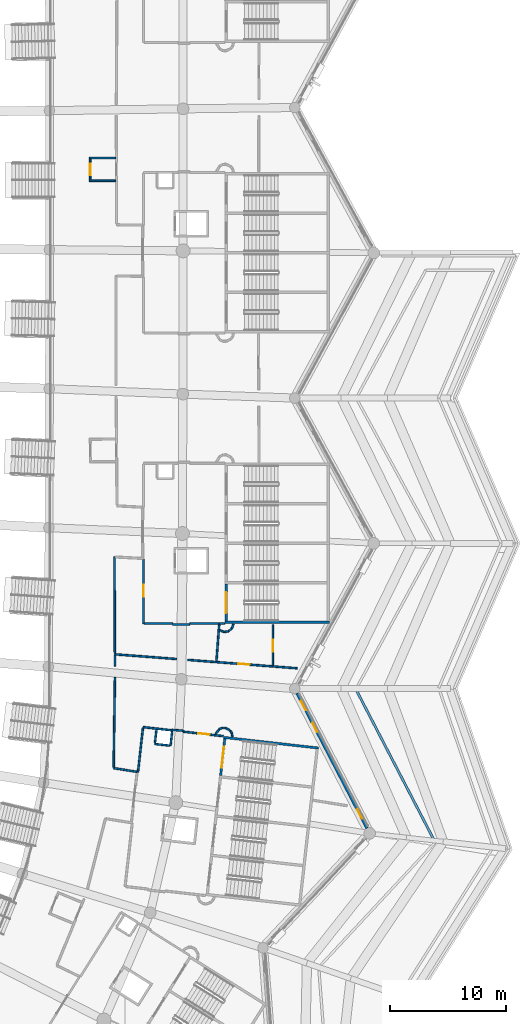
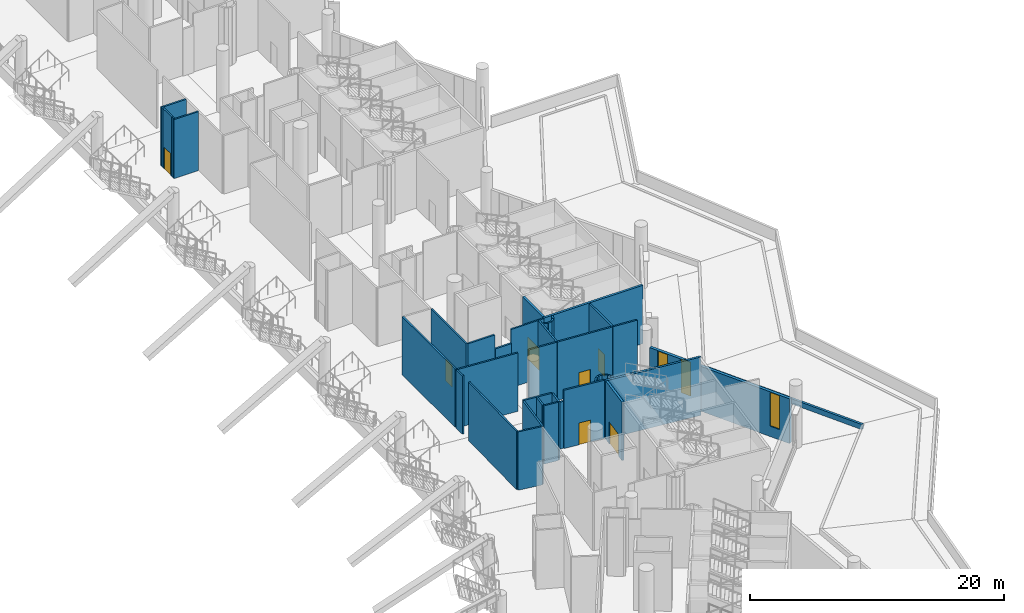
# One storey, part 57 of 173: 43 walls, 7 doors, 3 windows, 10 openings.
"""IFC4 building model written with IfcOpenShell, lengths in metres."""

from ifc_helpers import new_model, si_unit, direction, frame, frame_2d, origin, place, context, subcontext, project, spatial, rectangle, extrude, material, layer, layer_set, type_object, element, fill, save


model = new_model("IFC4")

# Units and contexts
model_context = context("Model", 3, precision=1e-05, world=origin(), true_north=direction((0.0, 1.0)))
body_context = subcontext(model_context, "Body", "Model", "MODEL_VIEW")
ifc_project = project(units=[si_unit("LENGTHUNIT", "METRE"), si_unit("AREAUNIT", "SQUARE_METRE"), si_unit("VOLUMEUNIT", "CUBIC_METRE"), si_unit("PLANEANGLEUNIT", "RADIAN"), si_unit("MASSUNIT", "GRAM", prefix="KILO")], contexts=[model_context])

# Site, building, storey
site_placement = place(None, origin())
site = spatial("IfcSite", under=ifc_project, at=site_placement, CompositionType="ELEMENT")
building_placement = place(site_placement, origin())
building = spatial("IfcBuilding", under=site, at=building_placement, Name="Meseta Stadium", CompositionType="ELEMENT")
storey_placement = place(building_placement, frame((0.0, 0.0, 18.0)))
storey = spatial("IfcBuildingStorey", under=building, at=storey_placement, Name="L03", CompositionType="ELEMENT", Elevation=18.0)

# Wall
ifc_material_1 = material(Name="Concrete C40/50", Category="concrete")
ifc_layer_1 = layer(ifc_material_1, 0.199951171875)
ifc_layer_set_1 = layer_set([ifc_layer_1], Name="Core shaft wall 200")
wall_type_1 = type_object("IfcWallType", Name="Core shaft wall 200", PredefinedType="SHEAR", material=ifc_layer_set_1)
wall_1_placement = place(storey_placement, frame((96.645751953125, -48.86328125, 0.0), z_axis=(0.0, 0.0, 1.0), x_axis=(-0.993714104693, 0.111947658007, 0.0)))
element("IfcWall", 1, at=wall_1_placement, inside=storey, type_object=wall_type_1, Name="Core 01 L03 stair wall B-side", PredefinedType="SHEAR", context=body_context, shape_type="SweptSolid", body=[
    extrude(rectangle(XDim=8.199951171875, YDim=0.199951171875, at=frame_2d((4.10009765625, 0.0))), origin(), (0.0, 0.0, 1.0), 5.60009765625),
])

# Wall, opening, door
wall_2_placement = place(storey_placement, frame((88.227294921875, -51.235595703125, 0.0), z_axis=(0.0, 0.0, 1.0), x_axis=(0.111930393474, 0.993716049491, 0.0)))
wall_2 = element("IfcWall", 2, at=wall_2_placement, inside=storey, type_object=wall_type_1, Name="Core 01 L03 stair B2 inner end wall", PredefinedType="SHEAR", context=body_context, shape_type="SweptSolid", body=[
    extrude(rectangle(XDim=3.19970703125, YDim=0.199951171875, at=frame_2d((1.599853515625, 0.0))), origin(), (0.0, 0.0, 1.0), 5.60009765625),
])
opening_1_placement = place(wall_2_placement, frame((0.699951171875, 0.0, 0.0)))
opening_1 = element("IfcOpeningElement", 3, at=opening_1_placement, cuts=wall_2, Name="Opening D1475", PredefinedType="OPENING", context=body_context, shape_type="SweptSolid", body=[
    extrude(rectangle(XDim=1.800048828125, YDim=2.10009765625, at=frame_2d((0.89990234375, 1.050048828125))), frame((0.0, 0.10986328125, 0.0), z_axis=(0.0, -1.0, 0.0), x_axis=(1.0, 0.0, 0.0)), (0.0, 0.0, 1.0), 0.219970703125),
])
ifc_material_2 = material(Name="Steel", Category="steel")
door_type_1 = type_object("IfcDoorType", Name="Stair door 1800x2100", OperationType="DOUBLE_DOOR_SINGLE_SWING", PredefinedType="DOOR", material=ifc_material_2)
door_1_placement = place(opening_1_placement, origin())
door_1 = element("IfcDoor", 4, at=door_1_placement, inside=storey, type_object=door_type_1, Name="Stair B2 door 01 L03", OperationType="DOUBLE_DOOR_SINGLE_SWING", OverallHeight=2.10009765625, OverallWidth=1.800048828125, PredefinedType="DOOR", context=body_context, shape_type="SweptSolid", body=[
    extrude(rectangle(XDim=1.800048828125, YDim=2.10009765625, at=frame_2d((0.89990234375, 1.050048828125))), frame((0.0, 0.02490234375, 0.0), z_axis=(0.0, -1.0, 0.0), x_axis=(1.0, 0.0, 0.0)), (0.0, 0.0, 1.0), 0.050048828125),
])
fill(opening_1, door_1)

# Wall
wall_3_placement = place(storey_placement, frame((97.60009765625, -38.050048828125, 0.0), z_axis=(0.0, 0.0, 1.0), x_axis=(-1.0, 0.0, 0.0)))
element("IfcWall", 5, at=wall_3_placement, inside=storey, type_object=wall_type_1, Name="Core 02 L03 stair wall A-side", PredefinedType="SHEAR", context=body_context, shape_type="SweptSolid", body=[
    extrude(rectangle(XDim=9.0, YDim=0.199951171875, at=frame_2d((4.5, 0.0))), origin(), (0.0, 0.0, 1.0), 5.60009765625),
])

# Wall, opening, door
wall_4_placement = place(storey_placement, frame((88.699951171875, -37.949951171875, 0.0), z_axis=(0.0, 0.0, 1.0), x_axis=(0.0, 1.0, 0.0)))
wall_4 = element("IfcWall", 6, at=wall_4_placement, inside=storey, type_object=wall_type_1, Name="Core 02 L03 stair A1 inner end wall", PredefinedType="SHEAR", context=body_context, shape_type="SweptSolid", body=[
    extrude(rectangle(XDim=3.199951171875, YDim=0.199951171875, at=frame_2d((1.60009765625, 0.0))), origin(), (0.0, 0.0, 1.0), 5.60009765625),
])
opening_2_placement = place(wall_4_placement, frame((0.699951171875, 0.0, 0.0)))
opening_2 = element("IfcOpeningElement", 7, at=opening_2_placement, cuts=wall_4, Name="Opening D1481", PredefinedType="OPENING", context=body_context, shape_type="SweptSolid", body=[
    extrude(rectangle(XDim=1.800048828125, YDim=2.10009765625, at=frame_2d((0.89990234375, 1.050048828125))), frame((0.0, 0.10986328125, 0.0), z_axis=(0.0, -1.0, 0.0), x_axis=(1.0, 0.0, 0.0)), (0.0, 0.0, 1.0), 0.219970703125),
])
door_2_placement = place(opening_2_placement, origin())
door_2 = element("IfcDoor", 8, at=door_2_placement, inside=storey, type_object=door_type_1, Name="Stair A1 door 02 L03", OperationType="DOUBLE_DOOR_SINGLE_SWING", OverallHeight=2.10009765625, OverallWidth=1.800048828125, PredefinedType="DOOR", context=body_context, shape_type="SweptSolid", body=[
    extrude(rectangle(XDim=1.800048828125, YDim=2.10009765625, at=frame_2d((0.89990234375, 1.050048828125))), frame((0.0, 0.02490234375, 0.0), z_axis=(0.0, -1.0, 0.0), x_axis=(1.0, 0.0, 0.0)), (0.0, 0.0, 1.0), 0.050048828125),
])
fill(opening_2, door_2)

# Wall
ifc_material_3 = material(Name="Masonry blockwork", Category="masonry")
ifc_layer_2 = layer(ifc_material_3, 0.14990234375)
ifc_layer_set_2 = layer_set([ifc_layer_2], Name="Partition 150")
wall_type_2 = type_object("IfcWallType", Name="Partition 150", PredefinedType="PARTITIONING", material=ifc_layer_set_2)
wall_5_placement = place(storey_placement, frame((94.82763671875, -42.002197265625, 0.0), z_axis=(0.0, 0.0, 1.0), x_axis=(-0.997066714426, 0.076537356789, 0.0)))
element("IfcWall", 9, at=wall_5_placement, inside=storey, type_object=wall_type_2, Name="Partition L03 L03-cell00-1-0a", PredefinedType="PARTITIONING", context=body_context, shape_type="SweptSolid", body=[
    extrude(rectangle(XDim=2.111572265625, YDim=0.14990234375, at=frame_2d((1.0556640625, 0.0))), origin(), (0.0, 0.0, 1.0), 5.60009765625),
])

# Wall, opening, door
wall_6_placement = place(storey_placement, frame((92.72216796875, -41.765380859375, 0.0), z_axis=(0.0, 0.0, 1.0), x_axis=(0.0, 1.0, 0.0)))
wall_6 = element("IfcWall", 10, at=wall_6_placement, inside=storey, type_object=wall_type_2, Name="Partition L03 L03-cell00-1-0a", PredefinedType="PARTITIONING", context=body_context, shape_type="SweptSolid", body=[
    extrude(rectangle(XDim=3.515380859375, YDim=0.14990234375, at=frame_2d((1.7578125, 0.0))), origin(), (0.0, 0.0, 1.0), 5.60009765625),
])
opening_3_placement = place(wall_6_placement, frame((1.199951171875, 0.0, 0.0)))
opening_3 = element("IfcOpeningElement", 11, at=opening_3_placement, cuts=wall_6, Name="Opening D1497", PredefinedType="OPENING", context=body_context, shape_type="SweptSolid", body=[
    extrude(rectangle(XDim=1.0, YDim=2.10009765625, at=frame_2d((0.5, 1.050048828125))), frame((0.0, 0.0849609375, 0.0), z_axis=(0.0, -1.0, 0.0), x_axis=(1.0, 0.0, 0.0)), (0.0, 0.0, 1.0), 0.169921875),
])
ifc_material_4 = material(Name="Timber", Category="wood")
door_type_2 = type_object("IfcDoorType", Name="Room door 1000x2100", OperationType="NOTDEFINED", PredefinedType="DOOR", material=ifc_material_4)
door_3_placement = place(opening_3_placement, origin())
door_3 = element("IfcDoor", 12, at=door_3_placement, inside=storey, type_object=door_type_2, Name="Room door L03 L03-cell00-1-0a", OperationType="SINGLE_SWING_RIGHT", OverallHeight=2.10009765625, OverallWidth=1.0, PredefinedType="DOOR", context=body_context, shape_type="SweptSolid", body=[
    extrude(rectangle(XDim=1.0, YDim=2.10009765625, at=frame_2d((0.5, 1.050048828125))), frame((0.0, 0.02490234375, 0.0), z_axis=(0.0, -1.0, 0.0), x_axis=(1.0, 0.0, 0.0)), (0.0, 0.0, 1.0), 0.050048828125),
])
fill(opening_3, door_3)

wall_7_placement = place(storey_placement, frame((92.672119140625, -41.836669921875, 0.0), z_axis=(0.0, 0.0, 1.0), x_axis=(-0.997068154384, 0.07651859587, 0.0)))
wall_7 = element("IfcWall", 13, at=wall_7_placement, inside=storey, type_object=wall_type_2, Name="Partition L03 L03-cell00-1-0b1", PredefinedType="PARTITIONING", context=body_context, shape_type="SweptSolid", body=[
    extrude(rectangle(XDim=4.827392578125, YDim=0.14990234375, at=frame_2d((2.41357421875, 0.0))), origin(), (0.0, 0.0, 1.0), 5.60009765625),
])
opening_4_placement = place(wall_7_placement, frame((1.949951171875, 0.0, 0.0)))
opening_4 = element("IfcOpeningElement", 14, at=opening_4_placement, cuts=wall_7, Name="Opening D1493", PredefinedType="OPENING", context=body_context, shape_type="SweptSolid", body=[
    extrude(rectangle(XDim=1.0, YDim=2.10009765625, at=frame_2d((0.5, 1.050048828125))), frame((0.0, 0.0849609375, 0.0), z_axis=(0.0, -1.0, 0.0), x_axis=(1.0, 0.0, 0.0)), (0.0, 0.0, 1.0), 0.169921875),
])
door_4_placement = place(opening_4_placement, origin())
door_4 = element("IfcDoor", 15, at=door_4_placement, inside=storey, type_object=door_type_2, Name="Room door L03 L03-cell00-1-0b1", OperationType="SINGLE_SWING_RIGHT", OverallHeight=2.10009765625, OverallWidth=1.0, PredefinedType="DOOR", context=body_context, shape_type="SweptSolid", body=[
    extrude(rectangle(XDim=1.0, YDim=2.10009765625, at=frame_2d((0.5, 1.050048828125))), frame((0.0, 0.02490234375, 0.0), z_axis=(0.0, -1.0, 0.0), x_axis=(1.0, 0.0, 0.0)), (0.0, 0.0, 1.0), 0.050048828125),
])
fill(opening_4, door_4)

# Walls
wall_8_placement = place(storey_placement, frame((87.864501953125, -41.392333984375, 0.0), z_axis=(0.0, 0.0, 1.0), x_axis=(0.076501302727, 0.997069481371, 0.0)))
element("IfcWall", 16, at=wall_8_placement, inside=storey, type_object=wall_type_2, Name="Partition L03 L03-cell00-1-0b1", PredefinedType="PARTITIONING", context=body_context, shape_type="SweptSolid", body=[
    extrude(rectangle(XDim=3.251953125, YDim=0.14990234375, at=frame_2d((1.6259765625, 0.0))), origin(), (0.0, 0.0, 1.0), 5.60009765625),
])
wall_9_placement = place(storey_placement, frame((88.11328125, -38.14990234375, 0.0), z_axis=(0.0, 0.0, 1.0), x_axis=(1.0, 0.0, 0.0)))
element("IfcWall", 17, at=wall_9_placement, inside=storey, type_object=wall_type_2, Name="Partition L03 L03-cell00-1-0b1", PredefinedType="PARTITIONING", context=body_context, shape_type="SweptSolid", body=[
    extrude(rectangle(XDim=0.44677734375, YDim=0.14990234375, at=frame_2d((0.223388671875, 0.0))), origin(), (0.0, 0.0, 1.0), 5.60009765625),
])
wall_10_placement = place(storey_placement, frame((87.808837890625, -41.46337890625, 0.0), z_axis=(0.0, 0.0, 1.0), x_axis=(-0.997068127428, 0.076518947109, 0.0)))
element("IfcWall", 18, at=wall_10_placement, inside=storey, type_object=wall_type_2, Name="Partition L03 L03-cell00-1-0b2", PredefinedType="PARTITIONING", context=body_context, shape_type="SweptSolid", body=[
    extrude(rectangle(XDim=2.41845703125, YDim=0.14990234375, at=frame_2d((1.209228515625, 0.0))), origin(), (0.0, 0.0, 1.0), 5.60009765625),
])
wall_11_placement = place(storey_placement, frame((84.432861328125, -41.2041015625, 0.0), z_axis=(0.0, 0.0, 1.0), x_axis=(-0.997070388633, 0.076489477122, 0.0)))
element("IfcWall", 19, at=wall_11_placement, inside=storey, type_object=wall_type_2, Name="Partition L03 L03-cell00-1-0b2", PredefinedType="PARTITIONING", context=body_context, shape_type="SweptSolid", body=[
    extrude(rectangle(XDim=5.32080078125, YDim=0.14990234375, at=frame_2d((2.660400390625, 0.0))), origin(), (0.0, 0.0, 1.0), 5.60009765625),
])
wall_12_placement = place(storey_placement, frame((79.127197265625, -40.7216796875, 0.0), z_axis=(0.0, 0.0, 1.0), x_axis=(-0.003939176304, 0.999992241415, 0.0)))
element("IfcWall", 20, at=wall_12_placement, inside=storey, type_object=wall_type_2, Name="Partition L03 L03-cell00-1-0b2", PredefinedType="PARTITIONING", context=body_context, shape_type="SweptSolid", body=[
    extrude(rectangle(XDim=8.304931640625, YDim=0.14990234375, at=frame_2d((4.15234375, 0.0))), origin(), (0.0, 0.0, 1.0), 5.60009765625),
])

# Wall, opening, door
wall_13_placement = place(storey_placement, frame((81.60009765625, -32.62939453125, 0.0), z_axis=(0.0, 0.0, 1.0), x_axis=(0.0, -1.0, 0.0)))
wall_13 = element("IfcWall", 21, at=wall_13_placement, inside=storey, type_object=wall_type_2, Name="Partition L03 L03-cell00-1-0b2", PredefinedType="PARTITIONING", context=body_context, shape_type="SweptSolid", body=[
    extrude(rectangle(XDim=5.5205078125, YDim=0.14990234375, at=frame_2d((2.76025390625, 0.0))), origin(), (0.0, 0.0, 1.0), 5.60009765625),
])
opening_5_placement = place(wall_13_placement, frame((2.199951171875, 0.0, 0.0)))
opening_5 = element("IfcOpeningElement", 22, at=opening_5_placement, cuts=wall_13, Name="Opening D1462", PredefinedType="OPENING", context=body_context, shape_type="SweptSolid", body=[
    extrude(rectangle(XDim=1.0, YDim=2.10009765625, at=frame_2d((0.5, 1.050048828125))), frame((0.0, 0.0849609375, 0.0), z_axis=(0.0, -1.0, 0.0), x_axis=(1.0, 0.0, 0.0)), (0.0, 0.0, 1.0), 0.169921875),
])
door_5_placement = place(opening_5_placement, origin())
door_5 = element("IfcDoor", 23, at=door_5_placement, inside=storey, type_object=door_type_2, Name="Room door L03 L03-cell00-1-0b2", OperationType="SINGLE_SWING_RIGHT", OverallHeight=2.10009765625, OverallWidth=1.0, PredefinedType="DOOR", context=body_context, shape_type="SweptSolid", body=[
    extrude(rectangle(XDim=1.0, YDim=2.10009765625, at=frame_2d((0.5, 1.050048828125))), frame((0.0, 0.02490234375, 0.0), z_axis=(0.0, -1.0, 0.0), x_axis=(1.0, 0.0, 0.0)), (0.0, 0.0, 1.0), 0.050048828125),
])
fill(opening_5, door_5)

# Walls
wall_14_placement = place(storey_placement, frame((81.675048828125, -38.14990234375, 0.0), z_axis=(0.0, 0.0, 1.0), x_axis=(1.0, 0.0, 0.0)))
element("IfcWall", 24, at=wall_14_placement, inside=storey, type_object=wall_type_2, Name="Partition L03 L03-cell00-1-0b2", PredefinedType="PARTITIONING", context=body_context, shape_type="SweptSolid", body=[
    extrude(rectangle(XDim=2.410888671875, YDim=0.14990234375, at=frame_2d((1.20556640625, 0.0))), origin(), (0.0, 0.0, 1.0), 5.60009765625),
])
wall_15_placement = place(storey_placement, frame((85.577392578125, -38.14990234375, 0.0), z_axis=(0.0, 0.0, 1.0), x_axis=(1.0, 0.0, 0.0)))
element("IfcWall", 25, at=wall_15_placement, inside=storey, type_object=wall_type_2, Name="Partition L03 L03-cell00-1-0b2", PredefinedType="PARTITIONING", context=body_context, shape_type="SweptSolid", body=[
    extrude(rectangle(XDim=2.48583984375, YDim=0.14990234375, at=frame_2d((1.242919921875, 0.0))), origin(), (0.0, 0.0, 1.0), 5.60009765625),
])

# Wall, opening, door
wall_16_placement = place(storey_placement, frame((88.46875, -47.84130859375, 0.0), z_axis=(0.0, 0.0, 1.0), x_axis=(-0.993720107873, 0.111894357364, 0.0)))
wall_16 = element("IfcWall", 26, at=wall_16_placement, inside=storey, type_object=wall_type_2, Name="Partition L03 L03-cell00-1-0w", PredefinedType="PARTITIONING", context=body_context, shape_type="SweptSolid", body=[
    extrude(rectangle(XDim=3.480224609375, YDim=0.14990234375, at=frame_2d((1.740234375, 0.0))), origin(), (0.0, 0.0, 1.0), 5.60009765625),
])
opening_6_placement = place(wall_16_placement, frame((1.199951171875, 0.0, 0.0)))
opening_6 = element("IfcOpeningElement", 27, at=opening_6_placement, cuts=wall_16, Name="Opening D1468", PredefinedType="OPENING", context=body_context, shape_type="SweptSolid", body=[
    extrude(rectangle(XDim=1.0, YDim=2.10009765625, at=frame_2d((0.5, 1.050048828125))), frame((0.0, 0.0849609375, 0.0), z_axis=(0.0, -1.0, 0.0), x_axis=(1.0, 0.0, 0.0)), (0.0, 0.0, 1.0), 0.169921875),
])
door_6_placement = place(opening_6_placement, frame((1.0, 0.0, 0.0), z_axis=(0.0, 0.0, 1.0), x_axis=(-1.0, 0.0, 0.0)))
door_6 = element("IfcDoor", 28, at=door_6_placement, inside=storey, type_object=door_type_2, Name="Room door L03 L03-cell00-1-0w", OperationType="SINGLE_SWING_RIGHT", OverallHeight=2.10009765625, OverallWidth=1.0, PredefinedType="DOOR", context=body_context, shape_type="SweptSolid", body=[
    extrude(rectangle(XDim=1.0, YDim=2.10009765625, at=frame_2d((0.5, 1.050048828125))), frame((0.0, 0.02490234375, 0.0), z_axis=(0.0, -1.0, 0.0), x_axis=(1.0, 0.0, 0.0)), (0.0, 0.0, 1.0), 0.050048828125),
])
fill(opening_6, door_6)

# Walls
wall_17_placement = place(storey_placement, frame((84.022705078125, -47.340576171875, 0.0), z_axis=(0.0, 0.0, 1.0), x_axis=(-0.993701549417, 0.112059049998, 0.0)))
element("IfcWall", 29, at=wall_17_placement, inside=storey, type_object=wall_type_2, Name="Partition L03 L03-cell00-1-0w", PredefinedType="PARTITIONING", context=body_context, shape_type="SweptSolid", body=[
    extrude(rectangle(XDim=2.48583984375, YDim=0.14990234375, at=frame_2d((1.242919921875, 0.0))), origin(), (0.0, 0.0, 1.0), 5.60009765625),
])
wall_18_placement = place(storey_placement, frame((81.544189453125, -47.13671875, 0.0), z_axis=(0.0, 0.0, 1.0), x_axis=(-0.111997797138, -0.993708454949, 0.0)))
element("IfcWall", 30, at=wall_18_placement, inside=storey, type_object=wall_type_2, Name="Partition L03 L03-cell00-1-0w", PredefinedType="PARTITIONING", context=body_context, shape_type="SweptSolid", body=[
    extrude(rectangle(XDim=3.814697265625, YDim=0.14990234375, at=frame_2d((1.9072265625, 0.0))), origin(), (0.0, 0.0, 1.0), 5.60009765625),
])
wall_19_placement = place(storey_placement, frame((81.042724609375, -50.915283203125, 0.0), z_axis=(0.0, 0.0, 1.0), x_axis=(-0.98728034548, 0.158989054429, 0.0)))
element("IfcWall", 31, at=wall_19_placement, inside=storey, type_object=wall_type_2, Name="Partition L03 L03-cell00-1-0w", PredefinedType="PARTITIONING", context=body_context, shape_type="SweptSolid", body=[
    extrude(rectangle(XDim=2.050048828125, YDim=0.14990234375, at=frame_2d((1.02490234375, 0.0))), origin(), (0.0, 0.0, 1.0), 5.60009765625),
])
wall_20_placement = place(storey_placement, frame((79.02001953125, -50.513671875, 0.0), z_axis=(0.0, 0.0, 1.0), x_axis=(0.014348808703, 0.999897050545, 0.0)))
element("IfcWall", 32, at=wall_20_placement, inside=storey, type_object=wall_type_2, Name="Partition L03 L03-cell00-1-0w", PredefinedType="PARTITIONING", context=body_context, shape_type="SweptSolid", body=[
    extrude(rectangle(XDim=7.724609375, YDim=0.14990234375, at=frame_2d((3.8623046875, 0.0))), origin(), (0.0, 0.0, 1.0), 5.60009765625),
])
wall_21_placement = place(storey_placement, frame((79.134521484375, -41.817138671875, 0.0), z_axis=(0.0, 0.0, 1.0), x_axis=(-0.006544033042, 0.999978587587, 0.0)))
element("IfcWall", 33, at=wall_21_placement, inside=storey, type_object=wall_type_2, Name="Partition L03 L03-cell00-1-0w", PredefinedType="PARTITIONING", context=body_context, shape_type="SweptSolid", body=[
    extrude(rectangle(XDim=0.969970703125, YDim=0.14990234375, at=frame_2d((0.48486328125, 0.0))), origin(), (0.0, 0.0, 1.0), 5.60009765625),
])
wall_22_placement = place(storey_placement, frame((83.913330078125, -48.66162109375, 0.0), z_axis=(0.0, 0.0, 1.0), x_axis=(0.111804424032, 0.993730230378, 0.0)))
element("IfcWall", 34, at=wall_22_placement, inside=storey, type_object=wall_type_2, Name="Pressurisation shaft wall L03 core 01", PredefinedType="PARTITIONING", context=body_context, shape_type="SweptSolid", body=[
    extrude(rectangle(XDim=1.2490234375, YDim=0.14990234375, at=frame_2d((0.62451171875, 0.0))), origin(), (0.0, 0.0, 1.0), 5.60009765625),
])
wall_23_placement = place(storey_placement, frame((82.711669921875, -47.269287109375, 0.0), z_axis=(0.0, 0.0, 1.0), x_axis=(-0.112097694808, -0.993697190707, 0.0)))
element("IfcWall", 35, at=wall_23_placement, inside=storey, type_object=wall_type_2, Name="Pressurisation shaft wall L03 core 01", PredefinedType="PARTITIONING", context=body_context, shape_type="SweptSolid", body=[
    extrude(rectangle(XDim=1.173828125, YDim=0.14990234375, at=frame_2d((0.5869140625, 0.0))), origin(), (0.0, 0.0, 1.0), 5.60009765625),
])
wall_24_placement = place(storey_placement, frame((82.57177734375, -48.510498046875, 0.0), z_axis=(0.0, 0.0, 1.0), x_axis=(0.993726262285, -0.111839687257, 0.0)))
element("IfcWall", 36, at=wall_24_placement, inside=storey, type_object=wall_type_2, Name="Pressurisation shaft wall L03 core 01", PredefinedType="PARTITIONING", context=body_context, shape_type="SweptSolid", body=[
    extrude(rectangle(XDim=1.27490234375, YDim=0.14990234375, at=frame_2d((0.637451171875, 0.0))), origin(), (0.0, 0.0, 1.0), 5.60009765625),
])
wall_25_placement = place(storey_placement, frame((89.23681640625, -47.8994140625, 0.0), z_axis=(0.0, 0.0, 1.0), x_axis=(-0.120303078009, 0.992737210656, 0.0)))
element("IfcWall", 37, at=wall_25_placement, inside=storey, type_object=wall_type_2, Name="Stair vestibule wall L03 core 01", PredefinedType="PARTITIONING", context=body_context, shape_type="SweptSolid", body=[
    extrude(rectangle(XDim=0.2578125, YDim=0.14990234375, at=frame_2d((0.12890625, 0.0))), origin(), (0.0, 0.0, 1.0), 5.60009765625),
])
wall_26_placement = place(storey_placement, frame((89.205810546875, -47.6435546875, 0.0), z_axis=(0.0, 0.0, 1.0), x_axis=(-0.458707712007, 0.888587212909, 0.0)))
element("IfcWall", 38, at=wall_26_placement, inside=storey, type_object=wall_type_2, Name="Stair vestibule wall L03 core 01", PredefinedType="PARTITIONING", context=body_context, shape_type="SweptSolid", body=[
    extrude(rectangle(XDim=0.287841796875, YDim=0.14990234375, at=frame_2d((0.14404296875, 0.0))), origin(), (0.0, 0.0, 1.0), 5.60009765625),
])
wall_27_placement = place(storey_placement, frame((89.07373046875, -47.3876953125, 0.0), z_axis=(0.0, 0.0, 1.0), x_axis=(-0.850449593678, 0.526056545072, 0.0)))
element("IfcWall", 39, at=wall_27_placement, inside=storey, type_object=wall_type_2, Name="Stair vestibule wall L03 core 01", PredefinedType="PARTITIONING", context=body_context, shape_type="SweptSolid", body=[
    extrude(rectangle(XDim=0.4794921875, YDim=0.14990234375, at=frame_2d((0.23974609375, 0.0))), origin(), (0.0, 0.0, 1.0), 5.60009765625),
])
for number, where, z_axis, x_axis, name in (
    (40, (88.666015625, -47.135498046875, 0.0), (0.0, 0.0, 1.0), (-0.999908858978, 0.013500879109, 0.0), "Stair vestibule wall L03 core 01"),
    (41, (88.376708984375, -47.131591796875, 0.0), (0.0, 0.0, 1.0), (-0.929463144391, -0.368914981016, 0.0), "Stair vestibule wall L03 core 01"),
):
    element("IfcWall", number, at=place(storey_placement, frame(where, z_axis=z_axis, x_axis=x_axis)), inside=storey, type_object=wall_type_2, Name=name, PredefinedType="PARTITIONING", context=body_context, shape_type="SweptSolid", body=[
        extrude(rectangle(XDim=0.289306640625, YDim=0.14990234375, at=frame_2d((0.14453125, 0.0))), origin(), (0.0, 0.0, 1.0), 5.60009765625),
    ])
wall_28_placement = place(storey_placement, frame((88.10791015625, -47.23828125, 0.0), z_axis=(0.0, 0.0, 1.0), x_axis=(-0.605293482024, -0.79600238732, 0.0)))
element("IfcWall", 42, at=wall_28_placement, inside=storey, type_object=wall_type_2, Name="Stair vestibule wall L03 core 01", PredefinedType="PARTITIONING", context=body_context, shape_type="SweptSolid", body=[
    extrude(rectangle(XDim=0.50048828125, YDim=0.14990234375, at=frame_2d((0.250244140625, 0.0))), origin(), (0.0, 0.0, 1.0), 5.60009765625),
])
wall_29_placement = place(storey_placement, frame((85.0068359375, -47.37451171875, 0.0), z_axis=(0.0, 0.0, 1.0), x_axis=(-0.996639273542, 0.081915556729, 0.0)))
element("IfcWall", 43, at=wall_29_placement, inside=storey, type_object=wall_type_2, Name="Stair vestibule wall L03 core 01", PredefinedType="PARTITIONING", context=body_context, shape_type="SweptSolid", body=[
    extrude(rectangle(XDim=0.94775390625, YDim=0.14990234375, at=frame_2d((0.473876953125, 0.0))), origin(), (0.0, 0.0, 1.0), 4.5),
])
wall_30_placement = place(storey_placement, frame((84.095947265625, -38.22509765625, 0.0), z_axis=(0.0, 0.0, 1.0), x_axis=(1.0, 0.0, 0.0)))
element("IfcWall", 44, at=wall_30_placement, inside=storey, type_object=wall_type_2, Name="Stair vestibule wall L03 core 02", PredefinedType="PARTITIONING", context=body_context, shape_type="SweptSolid", body=[
    extrude(rectangle(XDim=1.471435546875, YDim=0.14990234375, at=frame_2d((0.73583984375, 0.0))), origin(), (0.0, 0.0, 1.0), 4.300048828125),
])
wall_31_placement = place(storey_placement, frame((88.167724609375, -38.7294921875, 0.0), z_axis=(0.0, 0.0, 1.0), x_axis=(0.927779575936, -0.373128742496, 0.0)))
element("IfcWall", 45, at=wall_31_placement, inside=storey, type_object=wall_type_2, Name="Stair vestibule wall L03 core 02", PredefinedType="PARTITIONING", context=body_context, shape_type="SweptSolid", body=[
    extrude(rectangle(XDim=0.387451171875, YDim=0.14990234375, at=frame_2d((0.19384765625, 0.0))), origin(), (0.0, 0.0, 1.0), 5.60009765625),
])
wall_32_placement = place(storey_placement, frame((88.527099609375, -38.8740234375, 0.0), z_axis=(0.0, 0.0, 1.0), x_axis=(0.989140978774, 0.146969806798, 0.0)))
element("IfcWall", 46, at=wall_32_placement, inside=storey, type_object=wall_type_2, Name="Stair vestibule wall L03 core 02", PredefinedType="PARTITIONING", context=body_context, shape_type="SweptSolid", body=[
    extrude(rectangle(XDim=0.357177734375, YDim=0.14990234375, at=frame_2d((0.1787109375, 0.0))), origin(), (0.0, 0.0, 1.0), 5.60009765625),
])
wall_33_placement = place(storey_placement, frame((88.88037109375, -38.821533203125, 0.0), z_axis=(0.0, 0.0, 1.0), x_axis=(0.773256370555, 0.634093514709, 0.0)))
element("IfcWall", 47, at=wall_33_placement, inside=storey, type_object=wall_type_2, Name="Stair vestibule wall L03 core 02", PredefinedType="PARTITIONING", context=body_context, shape_type="SweptSolid", body=[
    extrude(rectangle(XDim=0.419189453125, YDim=0.14990234375, at=frame_2d((0.20947265625, 0.0))), origin(), (0.0, 0.0, 1.0), 5.60009765625),
])
wall_34_placement = place(storey_placement, frame((89.20458984375, -38.5556640625, 0.0), z_axis=(0.0, 0.0, 1.0), x_axis=(0.325219597367, 0.945638521576, 0.0)))
element("IfcWall", 48, at=wall_34_placement, inside=storey, type_object=wall_type_2, Name="Stair vestibule wall L03 core 02", PredefinedType="PARTITIONING", context=body_context, shape_type="SweptSolid", body=[
    extrude(rectangle(XDim=0.390380859375, YDim=0.14990234375, at=frame_2d((0.1953125, 0.0))), origin(), (0.0, 0.0, 1.0), 5.60009765625),
])
wall_35_placement = place(storey_placement, frame((79.1875, -0.044677734375, 0.0), z_axis=(0.0, 0.0, 1.0), x_axis=(-0.999996885856, -0.00249565195, 0.0)))
element("IfcWall", 49, at=wall_35_placement, inside=storey, type_object=wall_type_2, Name="Partition L03 L03-cell02-1-0 vestibule", PredefinedType="PARTITIONING", context=body_context, shape_type="SweptSolid", body=[
    extrude(rectangle(XDim=2.25, YDim=0.14990234375, at=frame_2d((1.125, 0.0))), origin(), (0.0, 0.0, 1.0), 5.66162109375),
])
wall_36_placement = place(storey_placement, frame((79.182861328125, 1.9052734375, 0.0), z_axis=(0.0, 0.0, 1.0), x_axis=(-0.999997150763, -0.002387145976, 0.0)))
element("IfcWall", 50, at=wall_36_placement, inside=storey, type_object=wall_type_2, Name="Partition L03 L03-cell02-1-0 vestibule", PredefinedType="PARTITIONING", context=body_context, shape_type="SweptSolid", body=[
    extrude(rectangle(XDim=2.25, YDim=0.14990234375, at=frame_2d((1.125, 0.0))), origin(), (0.0, 0.0, 1.0), 5.658447265625),
])
wall_37_placement = place(storey_placement, frame((77.012451171875, 0.02490234375, 0.0), z_axis=(0.0, 0.0, 1.0), x_axis=(-0.002439017136, 0.999997025593, 0.0)))
element("IfcWall", 51, at=wall_37_placement, inside=storey, type_object=wall_type_2, Name="Partition L03 L03-cell02-1-0 vestibule", PredefinedType="PARTITIONING", context=body_context, shape_type="SweptSolid", body=[
    extrude(rectangle(XDim=0.2001953125, YDim=0.14990234375, at=frame_2d((0.10009765625, 0.0))), origin(), (0.0, 0.0, 1.0), 5.7080078125),
])

# Wall, opening, door
wall_38_placement = place(storey_placement, frame((77.011962890625, 0.22509765625, 0.0), z_axis=(0.0, 0.0, 1.0), x_axis=(-0.002441569283, 0.999997019365, 0.0)))
wall_38 = element("IfcWall", 52, at=wall_38_placement, inside=storey, type_object=wall_type_2, Name="Partition L03 L03-cell02-1-0 vestibule", PredefinedType="PARTITIONING", context=body_context, shape_type="SweptSolid", body=[
    extrude(rectangle(XDim=1.39990234375, YDim=0.14990234375, at=frame_2d((0.699951171875, 0.0))), origin(), (0.0, 0.0, 1.0), 5.705810546875),
])
opening_7_placement = place(wall_38_placement, frame((0.199951171875, 0.0, 0.0)))
opening_7 = element("IfcOpeningElement", 53, at=opening_7_placement, cuts=wall_38, Name="Opening D1446", PredefinedType="OPENING", context=body_context, shape_type="SweptSolid", body=[
    extrude(rectangle(XDim=1.0, YDim=2.10009765625, at=frame_2d((0.5, 1.050048828125))), frame((0.0, 0.0849609375, 0.0), z_axis=(0.0, -1.0, 0.0), x_axis=(1.0, 0.0, 0.0)), (0.0, 0.0, 1.0), 0.169921875),
])
ifc_material_5 = material(Name="Steel", Category="steel")
door_type_3 = type_object("IfcDoorType", Name="Fire door 1000x2100 EI2 60", OperationType="NOTDEFINED", PredefinedType="DOOR", material=ifc_material_5)
door_7_placement = place(opening_7_placement, origin())
door_7 = element("IfcDoor", 54, at=door_7_placement, inside=storey, type_object=door_type_3, Name="Vestibule door L03 L03-cell02-1-0", OperationType="SINGLE_SWING_RIGHT", OverallHeight=2.10009765625, OverallWidth=1.0, PredefinedType="DOOR", context=body_context, shape_type="SweptSolid", body=[
    extrude(rectangle(XDim=1.0, YDim=2.10009765625, at=frame_2d((0.5, 1.050048828125))), frame((0.0, 0.02490234375, 0.0), z_axis=(0.0, -1.0, 0.0), x_axis=(1.0, 0.0, 0.0)), (0.0, 0.0, 1.0), 0.050048828125),
])
fill(opening_7, door_7)

# Walls
wall_39_placement = place(storey_placement, frame((77.008544921875, 1.625, 0.0), z_axis=(0.0, 0.0, 1.0), x_axis=(-0.002441995161, 0.999997018325, 0.0)))
element("IfcWall", 55, at=wall_39_placement, inside=storey, type_object=wall_type_2, Name="Partition L03 L03-cell02-1-0 vestibule", PredefinedType="PARTITIONING", context=body_context, shape_type="SweptSolid", body=[
    extrude(rectangle(XDim=0.199951171875, YDim=0.14990234375, at=frame_2d((0.10009765625, 0.0))), origin(), (0.0, 0.0, 1.0), 5.70556640625),
])
ifc_material_6 = material(Name="Precast concrete C40/50", Category="concrete")
ifc_layer_3 = layer(ifc_material_6, 0.199951171875)
ifc_layer_set_3 = layer_set([ifc_layer_3], Name="Planter kerb 200")
wall_type_3 = type_object("IfcWallType", Name="Planter kerb 200", PredefinedType="USERDEFINED", material=ifc_layer_set_3)
wall_40_placement = place(storey_placement, frame((106.688720703125, -56.974853515625, 0.0), z_axis=(0.0, 0.0, 1.0), x_axis=(-0.460024104329, 0.887906427185, 0.0)))
element("IfcWall", 56, at=wall_40_placement, inside=storey, type_object=wall_type_3, Name="Planter kerb 8.1.10", ObjectType="PLANTER", PredefinedType="USERDEFINED", context=body_context, shape_type="SweptSolid", body=[
    extrude(rectangle(XDim=14.83447265625, YDim=0.199951171875, at=frame_2d((7.417236328125, 0.0))), origin(), (0.0, 0.0, 1.0), 0.5),
])

# Wall, openings, windows
ifc_material_7 = material(Name="White precast concrete C40/50", Category="concrete")
ifc_layer_4 = layer(ifc_material_7, 0.25)
ifc_layer_set_4 = layer_set([ifc_layer_4], Name="Pleated panel wall 250")
wall_type_4 = type_object("IfcWallType", Name="Pleated panel wall 250", PredefinedType="SOLIDWALL", material=ifc_layer_set_4)
wall_41_placement = place(storey_placement, frame((94.806884765625, -44.1494140625, 0.0), z_axis=(0.0, 0.0, 1.0), x_axis=(0.460021193284, -0.887907935391, 0.0)))
wall_41 = element("IfcWall", 57, at=wall_41_placement, inside=storey, type_object=wall_type_4, Name="Pleated facade panel L03 F00", PredefinedType="SOLIDWALL", context=body_context, shape_type="SweptSolid", body=[
    extrude(rectangle(XDim=13.0751953125, YDim=0.25, at=frame_2d((6.53759765625, 0.0))), origin(), (0.0, 0.0, 1.0), 4.300048828125),
])
opening_8_placement = place(wall_41_placement, frame((0.750244140625, 0.0, 1.0)))
opening_8 = element("IfcOpeningElement", 58, at=opening_8_placement, cuts=wall_41, Name="Opening W152", PredefinedType="OPENING", context=body_context, shape_type="SweptSolid", body=[
    extrude(rectangle(XDim=0.89990234375, YDim=3.25, at=frame_2d((0.449951171875, 1.625))), frame((0.0, 0.135009765625, 0.0), z_axis=(0.0, -1.0, 0.0), x_axis=(1.0, 0.0, 0.0)), (0.0, 0.0, 1.0), 0.27001953125),
])
opening_9_placement = place(wall_41_placement, frame((2.850341796875, 0.0, 1.0)))
opening_9 = element("IfcOpeningElement", 59, at=opening_9_placement, cuts=wall_41, Name="Opening W160", PredefinedType="OPENING", context=body_context, shape_type="SweptSolid", body=[
    extrude(rectangle(XDim=0.89990234375, YDim=3.25, at=frame_2d((0.449951171875, 1.625))), frame((0.0, 0.135009765625, 0.0), z_axis=(0.0, -1.0, 0.0), x_axis=(1.0, 0.0, 0.0)), (0.0, 0.0, 1.0), 0.27001953125),
])
opening_10_placement = place(wall_41_placement, frame((11.250244140625, 0.0, 1.0)))
opening_10 = element("IfcOpeningElement", 60, at=opening_10_placement, cuts=wall_41, Name="Opening W170", PredefinedType="OPENING", context=body_context, shape_type="SweptSolid", body=[
    extrude(rectangle(XDim=0.89990234375, YDim=3.25, at=frame_2d((0.449951171875, 1.625))), frame((0.0, 0.135009765625, 0.0), z_axis=(0.0, -1.0, 0.0), x_axis=(1.0, 0.0, 0.0)), (0.0, 0.0, 1.0), 0.27001953125),
])
ifc_material_8 = material(Name="Aluminium", Category="aluminium")
window_type = type_object("IfcWindowType", Name="Slot window 900x3250", PartitioningType="SINGLE_PANEL", PredefinedType="WINDOW", material=ifc_material_8)
window_1_placement = place(opening_8_placement, origin())
window_1 = element("IfcWindow", 61, at=window_1_placement, inside=storey, type_object=window_type, Name="Slot window L03 F00.1", OverallHeight=3.25, OverallWidth=0.89990234375, PartitioningType="SINGLE_PANEL", PredefinedType="WINDOW", context=body_context, shape_type="SweptSolid", body=[
    extrude(rectangle(XDim=0.89990234375, YDim=3.25, at=frame_2d((0.449951171875, 1.625))), frame((0.0, 0.030029296875, 0.0), z_axis=(0.0, -1.0, 0.0), x_axis=(1.0, 0.0, 0.0)), (0.0, 0.0, 1.0), 0.06005859375),
])
fill(opening_8, window_1)
window_2_placement = place(opening_9_placement, origin())
window_2 = element("IfcWindow", 62, at=window_2_placement, inside=storey, type_object=window_type, Name="Slot window L03 F00.2", OverallHeight=3.25, OverallWidth=0.89990234375, PartitioningType="SINGLE_PANEL", PredefinedType="WINDOW", context=body_context, shape_type="SweptSolid", body=[
    extrude(rectangle(XDim=0.89990234375, YDim=3.25, at=frame_2d((0.449951171875, 1.625))), frame((0.0, 0.030029296875, 0.0), z_axis=(0.0, -1.0, 0.0), x_axis=(1.0, 0.0, 0.0)), (0.0, 0.0, 1.0), 0.06005859375),
])
fill(opening_9, window_2)
window_3_placement = place(opening_10_placement, origin())
window_3 = element("IfcWindow", 63, at=window_3_placement, inside=storey, type_object=window_type, Name="Slot window L03 F00.6", OverallHeight=3.25, OverallWidth=0.89990234375, PartitioningType="SINGLE_PANEL", PredefinedType="WINDOW", context=body_context, shape_type="SweptSolid", body=[
    extrude(rectangle(XDim=0.89990234375, YDim=3.25, at=frame_2d((0.449951171875, 1.625))), frame((0.0, 0.030029296875, 0.0), z_axis=(0.0, -1.0, 0.0), x_axis=(1.0, 0.0, 0.0)), (0.0, 0.0, 1.0), 0.06005859375),
])
fill(opening_10, window_3)

save(model, "model.ifc")
